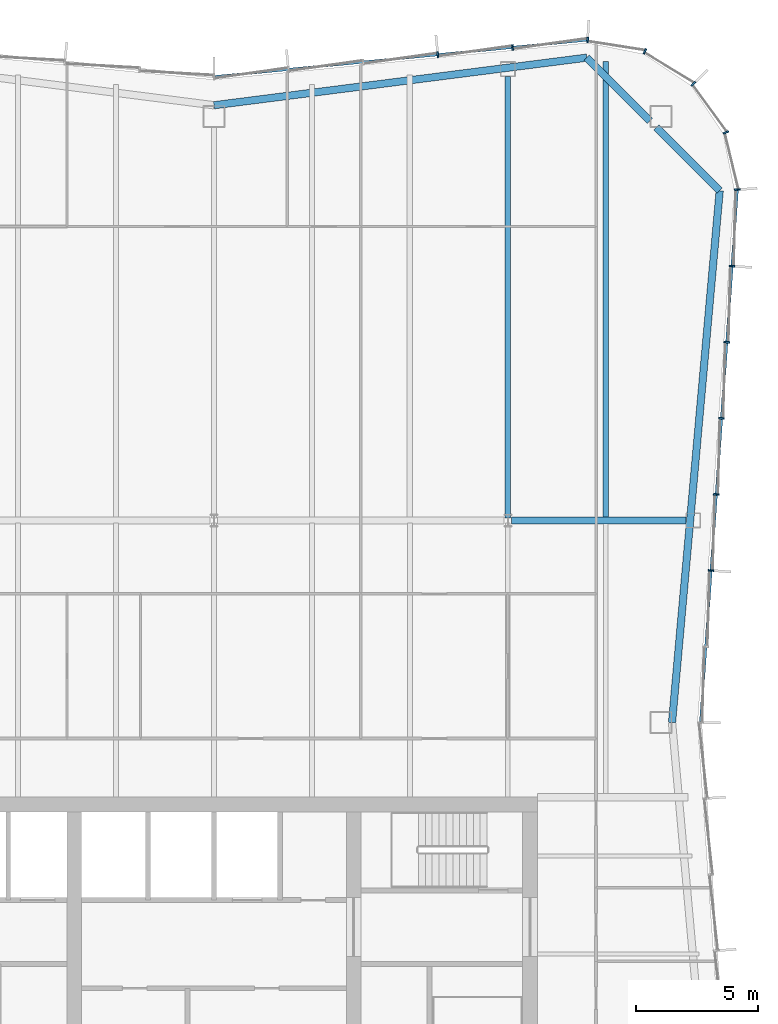
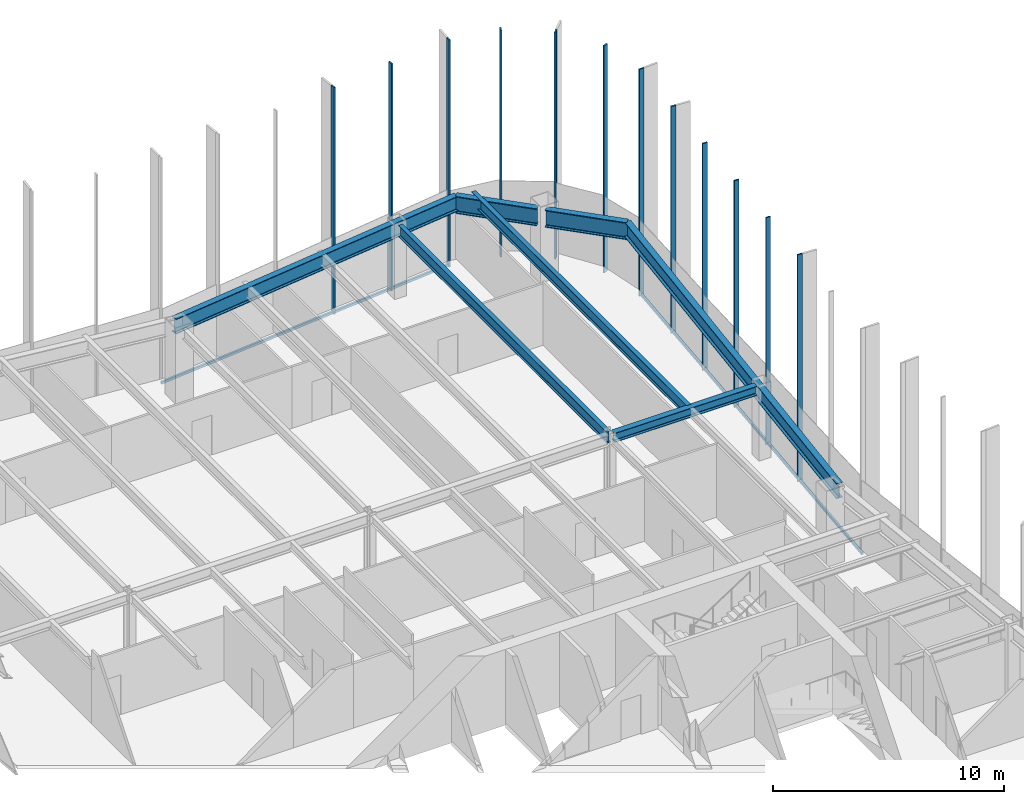
# One storey, part 7 of 13: 14 members, 7 beams, 3 elements without a shape of their own.
"""IFC4 building model written with IfcOpenShell, lengths in metres."""

from ifc_helpers import new_model, si_unit, direction, frame, origin, origin_2d, place, context, subcontext, project, spatial, rectangle, i_section, extrude, material, material_profile, profile_set, type_object, element, aggregate, save


model = new_model("IFC4")

# Units and contexts
model_context = context("Model", 3, precision=1e-05, world=origin(), true_north=direction((0.0, 1.0)))
body_context = subcontext(model_context, "Body", "Model", "MODEL_VIEW")
ifc_project = project(units=[si_unit("LENGTHUNIT", "METRE"), si_unit("AREAUNIT", "SQUARE_METRE"), si_unit("VOLUMEUNIT", "CUBIC_METRE"), si_unit("PLANEANGLEUNIT", "RADIAN"), si_unit("MASSUNIT", "GRAM", prefix="KILO")], contexts=[model_context])

# Site, building, storey
site_placement = place(None, origin())
site = spatial("IfcSite", under=ifc_project, at=site_placement, CompositionType="ELEMENT")
building_placement = place(site_placement, origin())
building = spatial("IfcBuilding", under=site, at=building_placement, Name="Verdant Reach Tower", CompositionType="ELEMENT")
storey_placement = place(building_placement, frame((0.0, 0.0, 306.0)))
storey = spatial("IfcBuildingStorey", under=building, at=storey_placement, Name="L70", CompositionType="ELEMENT", Elevation=306.0)

# Curtain wall, members
ifc_material_1 = material(Name="Anodised aluminium", Category="aluminium")
curtain_wall_type = type_object("IfcCurtainWallType", Name="EN-CW SYSTEM Z5", PredefinedType="NOTDEFINED", material=ifc_material_1)
curtain_wall_1_placement = place(storey_placement, origin())
curtain_wall_1 = element("IfcCurtainWall", 1, at=curtain_wall_1_placement, inside=storey, type_object=curtain_wall_type, Name="Curtain wall east, L70", PredefinedType="NOTDEFINED")
ifc_material_profile_1 = material_profile(ifc_material_1, rectangle(XDim=0.22998046875, YDim=0.070068359375, at=origin_2d()), Name="Mullion 70x230")
ifc_profile_set_1 = profile_set([ifc_material_profile_1], Name="Anodised aluminium")
member_type_1 = type_object("IfcMemberType", Name="EN-MULLION Z5", PredefinedType="MULLION", material=ifc_profile_set_1)
member_1_placement = place(storey_placement, frame((20.293212890625, 47.456298828125, -0.35009765625), z_axis=(0.0, 0.0, 1.0), x_axis=(0.997630328423, -0.068802091615, 0.0)))
member_1 = element("IfcMember", 2, at=member_1_placement, type_object=member_type_1, Name="Mullion east face part 2 3, L70", PredefinedType="MULLION", context=body_context, shape_type="SweptSolid", body=[
    extrude(rectangle(XDim=0.22998046875, YDim=0.070068359375, at=origin_2d()), origin(), (0.0, 0.0, 1.0), 12.0),
])
member_2_placement = place(storey_placement, frame((20.507568359375, 50.5634765625, -0.35009765625), z_axis=(0.0, 0.0, 1.0), x_axis=(0.997630328423, -0.068802091615, 0.0)))
member_2 = element("IfcMember", 3, at=member_2_placement, type_object=member_type_1, Name="Mullion east face part 2 4, L70", PredefinedType="MULLION", context=body_context, shape_type="SweptSolid", body=[
    extrude(rectangle(XDim=0.22998046875, YDim=0.070068359375, at=origin_2d()), origin(), (0.0, 0.0, 1.0), 12.0),
])
member_3_placement = place(storey_placement, frame((20.721923828125, 53.670654296875, -0.35009765625), z_axis=(0.0, 0.0, 1.0), x_axis=(0.997630328423, -0.068802091615, 0.0)))
member_3 = element("IfcMember", 4, at=member_3_placement, type_object=member_type_1, Name="Mullion east face part 2 5, L70", PredefinedType="MULLION", context=body_context, shape_type="SweptSolid", body=[
    extrude(rectangle(XDim=0.22998046875, YDim=0.070068359375, at=origin_2d()), origin(), (0.0, 0.0, 1.0), 12.0),
])
member_4_placement = place(storey_placement, frame((20.93603515625, 56.77783203125, -0.35009765625), z_axis=(0.0, 0.0, 1.0), x_axis=(0.997630328423, -0.068802091615, 0.0)))
member_4 = element("IfcMember", 5, at=member_4_placement, type_object=member_type_1, Name="Mullion east face part 2 6, L70", PredefinedType="MULLION", context=body_context, shape_type="SweptSolid", body=[
    extrude(rectangle(XDim=0.22998046875, YDim=0.070068359375, at=origin_2d()), origin(), (0.0, 0.0, 1.0), 12.0),
])
member_5_placement = place(storey_placement, frame((21.150390625, 59.885009765625, -0.35009765625), z_axis=(0.0, 0.0, 1.0), x_axis=(0.997630328423, -0.068802091615, 0.0)))
member_5 = element("IfcMember", 6, at=member_5_placement, type_object=member_type_1, Name="Mullion east face part 2 7, L70", PredefinedType="MULLION", context=body_context, shape_type="SweptSolid", body=[
    extrude(rectangle(XDim=0.22998046875, YDim=0.070068359375, at=origin_2d()), origin(), (0.0, 0.0, 1.0), 12.0),
])

curtain_wall_2_placement = place(storey_placement, origin())
curtain_wall_2 = element("IfcCurtainWall", 7, at=curtain_wall_2_placement, inside=storey, type_object=curtain_wall_type, Name="Curtain wall north-east corner, L70", PredefinedType="NOTDEFINED")
member_6_placement = place(storey_placement, frame((21.36474609375, 63.00732421875, -0.35009765625), z_axis=(0.0, 0.0, 1.0), x_axis=(0.997969180898, 0.063698618332, 0.0)))
member_6 = element("IfcMember", 8, at=member_6_placement, type_object=member_type_1, Name="Mullion north-east corner 1, L70", PredefinedType="MULLION", context=body_context, shape_type="SweptSolid", body=[
    extrude(rectangle(XDim=0.22998046875, YDim=0.070068359375, at=origin_2d()), origin(), (0.0, 0.0, 1.0), 12.0),
])
member_7_placement = place(storey_placement, frame((20.899658203125, 65.340087890625, -0.35009765625), z_axis=(0.0, 0.0, 1.0), x_axis=(0.923875215753, 0.382693853776, 0.0)))
member_7 = element("IfcMember", 9, at=member_7_placement, type_object=member_type_1, Name="Mullion north-east corner 2, L70", PredefinedType="MULLION", context=body_context, shape_type="SweptSolid", body=[
    extrude(rectangle(XDim=0.22998046875, YDim=0.070068359375, at=origin_2d()), origin(), (0.0, 0.0, 1.0), 12.0),
])
member_8_placement = place(storey_placement, frame((19.573974609375, 67.323974609375, -0.35009765625), z_axis=(0.0, 0.0, 1.0), x_axis=(0.707106781187, 0.707106781187, 0.0)))
member_8 = element("IfcMember", 10, at=member_8_placement, type_object=member_type_1, Name="Mullion north-east corner 3, L70", PredefinedType="MULLION", context=body_context, shape_type="SweptSolid", body=[
    extrude(rectangle(XDim=0.22998046875, YDim=0.070068359375, at=origin_2d()), origin(), (0.0, 0.0, 1.0), 12.0),
])
member_9_placement = place(storey_placement, frame((17.590087890625, 68.649658203125, -0.35009765625), z_axis=(0.0, 0.0, 1.0), x_axis=(0.382693853776, 0.923875215753, 0.0)))
member_9 = element("IfcMember", 11, at=member_9_placement, type_object=member_type_1, Name="Mullion north-east corner 4, L70", PredefinedType="MULLION", context=body_context, shape_type="SweptSolid", body=[
    extrude(rectangle(XDim=0.22998046875, YDim=0.070068359375, at=origin_2d()), origin(), (0.0, 0.0, 1.0), 12.0),
])
aggregate(curtain_wall_2, [member_6, member_7, member_8, member_9])

curtain_wall_3_placement = place(storey_placement, origin())
curtain_wall_3 = element("IfcCurtainWall", 12, at=curtain_wall_3_placement, inside=storey, type_object=curtain_wall_type, Name="Curtain wall north, L70", PredefinedType="NOTDEFINED")
member_10_placement = place(storey_placement, frame((15.255615234375, 69.11474609375, -0.35009765625), z_axis=(0.0, 0.0, 1.0), x_axis=(0.049127596288, 0.998792510626, 0.0)))
member_10 = element("IfcMember", 13, at=member_10_placement, type_object=member_type_1, Name="Mullion north face part 1 1, L70", PredefinedType="MULLION", context=body_context, shape_type="SweptSolid", body=[
    extrude(rectangle(XDim=0.22998046875, YDim=0.070068359375, at=origin_2d()), origin(), (0.0, 0.0, 1.0), 12.0),
])
member_11_placement = place(storey_placement, frame((12.188720703125, 68.814453125, -0.35009765625), z_axis=(0.0, 0.0, 1.0), x_axis=(-0.09788826992, 0.995197410875, 0.0)))
member_11 = element("IfcMember", 14, at=member_11_placement, type_object=member_type_1, Name="Mullion north face part 1 2, L70", PredefinedType="MULLION", context=body_context, shape_type="SweptSolid", body=[
    extrude(rectangle(XDim=0.22998046875, YDim=0.070068359375, at=origin_2d()), origin(), (0.0, 0.0, 1.0), 12.0),
])
member_12_placement = place(storey_placement, frame((9.138671875, 68.514404296875, -0.35009765625), z_axis=(0.0, 0.0, 1.0), x_axis=(-0.09788826992, 0.995197410875, 0.0)))
member_12 = element("IfcMember", 15, at=member_12_placement, type_object=member_type_1, Name="Mullion north face part 1 3, L70", PredefinedType="MULLION", context=body_context, shape_type="SweptSolid", body=[
    extrude(rectangle(XDim=0.22998046875, YDim=0.070068359375, at=origin_2d()), origin(), (0.0, 0.0, 1.0), 12.0),
])

# Member
ifc_material_profile_2 = material_profile(ifc_material_1, rectangle(XDim=0.10009765625, YDim=0.1298828125, at=origin_2d()), Name="Transom 130x100")
ifc_profile_set_2 = profile_set([ifc_material_profile_2], Name="Anodised aluminium")
member_type_2 = type_object("IfcMemberType", Name="EN-TRANSOM Z5", PredefinedType="USERDEFINED", material=ifc_profile_set_2)
member_13_placement = place(storey_placement, frame((19.867431640625, 41.284912109375, -0.284912109375), z_axis=(0.068764705107, 0.997632906099, 0.0), x_axis=(-0.997632906099, 0.068764705107, 0.0)))
member_13 = element("IfcMember", 16, at=member_13_placement, type_object=member_type_2, Name="Transom east face part 2 1.1, L70", ObjectType="TRANSOM", PredefinedType="USERDEFINED", context=body_context, shape_type="SweptSolid", body=[
    extrude(rectangle(XDim=0.10009765625, YDim=0.1298828125, at=origin_2d()), origin(), (0.0, 0.0, 1.0), 21.739013671875),
])

aggregate(curtain_wall_1, [member_1, member_2, member_3, member_4, member_5, member_13])

member_14_placement = place(storey_placement, frame((15.220703125, 69.111328125, -0.284912109375), z_axis=(-0.99520229006, -0.097838652171, 0.0), x_axis=(0.097838652171, -0.99520229006, 0.0)))
member_14 = element("IfcMember", 17, at=member_14_placement, type_object=member_type_2, Name="Transom north face part 1 1.1, L70", ObjectType="TRANSOM", PredefinedType="USERDEFINED", context=body_context, shape_type="SweptSolid", body=[
    extrude(rectangle(XDim=0.10009765625, YDim=0.1298828125, at=origin_2d()), origin(), (0.0, 0.0, 1.0), 15.259033203125),
])

aggregate(curtain_wall_3, [member_10, member_11, member_12, member_14])

# Beams
ifc_material_2 = material(Name="Steel S355", Category="steel")
ifc_material_profile_3 = material_profile(ifc_material_2, i_section(OverallWidth=0.300048828125, OverallDepth=0.489990234375, WebThickness=0.011962890625, FlangeThickness=0.02294921875, FilletRadius=0.027099609375, at=origin_2d()), Name="HEA 500")
ifc_profile_set_3 = profile_set([ifc_material_profile_3], Name="Steel S355")
beam_type_1 = type_object("IfcBeamType", Name="ST-BEAM-HEA500", PredefinedType="BEAM", material=ifc_profile_set_3)
beam_1_placement = place(storey_placement, frame((12.153076171875, 49.5, 3.625), z_axis=(1.0, 0.0, 0.0), x_axis=(0.0, 1.0, 0.0)))
element("IfcBeam", 18, at=beam_1_placement, inside=storey, type_object=beam_type_1, Name="Row girder, L70", PredefinedType="BEAM", context=body_context, shape_type="SweptSolid", body=[
    extrude(i_section(OverallWidth=0.300048828125, OverallDepth=0.489990234375, WebThickness=0.011962890625, FlangeThickness=0.02294921875, FilletRadius=0.027099609375, at=origin_2d()), origin(), (0.0, 0.0, 1.0), 7.115966796875),
])
ifc_material_profile_4 = material_profile(ifc_material_2, i_section(OverallWidth=0.219970703125, OverallDepth=0.60009765625, WebThickness=0.011962890625, FlangeThickness=0.01904296875, FilletRadius=0.02392578125, at=origin_2d()), Name="IPE 600")
ifc_profile_set_4 = profile_set([ifc_material_profile_4], Name="Steel S355")
beam_type_2 = type_object("IfcBeamType", Name="ST-JOIST-IPE600", PredefinedType="JOIST", material=ifc_profile_set_4)
beam_2_placement = place(storey_placement, frame((12.0, 49.60009765625, 3.570068359375), z_axis=(0.0, 1.0, 0.0), x_axis=(-1.0, 0.0, 0.0)))
element("IfcBeam", 19, at=beam_2_placement, inside=storey, type_object=beam_type_2, Name="Floor joist, L70", PredefinedType="JOIST", context=body_context, shape_type="SweptSolid", body=[
    extrude(i_section(OverallWidth=0.219970703125, OverallDepth=0.60009765625, WebThickness=0.011962890625, FlangeThickness=0.01904296875, FilletRadius=0.02392578125, at=origin_2d()), origin(), (0.0, 0.0, 1.0), 18.0302734375),
])
beam_3_placement = place(storey_placement, frame((16.0, 49.60009765625, 3.570068359375), z_axis=(0.0, 1.0, 0.0), x_axis=(-1.0, 0.0, 0.0)))
element("IfcBeam", 20, at=beam_3_placement, inside=storey, type_object=beam_type_2, Name="Floor joist, L70", PredefinedType="JOIST", context=body_context, shape_type="SweptSolid", body=[
    extrude(i_section(OverallWidth=0.219970703125, OverallDepth=0.60009765625, WebThickness=0.011962890625, FlangeThickness=0.01904296875, FilletRadius=0.02392578125, at=origin_2d()), origin(), (0.0, 0.0, 1.0), 18.638916015625),
])
ifc_material_profile_5 = material_profile(ifc_material_2, i_section(OverallWidth=0.300048828125, OverallDepth=0.800048828125, WebThickness=0.017578125, FlangeThickness=0.032958984375, FilletRadius=0.030029296875, at=origin_2d()), Name="HEB 800")
ifc_profile_set_5 = profile_set([ifc_material_profile_5], Name="Steel S355")
beam_type_3 = type_object("IfcBeamType", Name="ST-SPANDREL-HEB800", PredefinedType="SPANDREL", material=ifc_profile_set_5)
beam_4_placement = place(storey_placement, frame((0.0, 66.449951171875, 3.469970703125), z_axis=(0.991938889669, 0.126717162063, 0.0), x_axis=(-0.126717162063, 0.991938889669, 0.0)))
element("IfcBeam", 21, at=beam_4_placement, inside=storey, type_object=beam_type_3, Name="Edge beam, L70", PredefinedType="SPANDREL", context=body_context, shape_type="SweptSolid", body=[
    extrude(i_section(OverallWidth=0.300048828125, OverallDepth=0.800048828125, WebThickness=0.017578125, FlangeThickness=0.032958984375, FilletRadius=0.030029296875, at=origin_2d()), origin(), (0.0, 0.0, 1.0), 15.343994140625),
])
beam_5_placement = place(storey_placement, frame((20.64599609375, 62.96142578125, 3.469970703125), z_axis=(-0.089274399498, -0.996007069048, 0.0), x_axis=(0.996007069048, -0.089274399498, 0.0)))
element("IfcBeam", 22, at=beam_5_placement, inside=storey, type_object=beam_type_3, Name="Edge beam, L70", PredefinedType="SPANDREL", context=body_context, shape_type="SweptSolid", body=[
    extrude(i_section(OverallWidth=0.300048828125, OverallDepth=0.800048828125, WebThickness=0.017578125, FlangeThickness=0.032958984375, FilletRadius=0.030029296875, at=origin_2d()), origin(), (0.0, 0.0, 1.0), 21.798583984375),
])
ifc_material_profile_6 = material_profile(ifc_material_2, i_section(OverallWidth=0.302001953125, OverallDepth=0.909912109375, WebThickness=0.02099609375, FlangeThickness=0.0400390625, FilletRadius=0.030029296875, at=origin_2d()), Name="HEM 900")
ifc_profile_set_6 = profile_set([ifc_material_profile_6], Name="Steel S355")
beam_type_4 = type_object("IfcBeamType", Name="ST-SPANDREL-HEM900", PredefinedType="SPANDREL", material=ifc_profile_set_6)
beam_6_placement = place(storey_placement, frame((15.22021484375, 68.394287109375, 3.4150390625), z_axis=(0.706638520854, -0.707574731632, 0.0), x_axis=(0.707574731632, 0.706638520854, 0.0)))
element("IfcBeam", 23, at=beam_6_placement, inside=storey, type_object=beam_type_4, Name="Edge beam, L70", PredefinedType="SPANDREL", context=body_context, shape_type="SweptSolid", body=[
    extrude(i_section(OverallWidth=0.302001953125, OverallDepth=0.909912109375, WebThickness=0.02099609375, FlangeThickness=0.0400390625, FilletRadius=0.030029296875, at=origin_2d()), origin(), (0.0, 0.0, 1.0), 3.65087890625),
])
beam_7_placement = place(storey_placement, frame((18.060791015625, 65.550048828125, 3.4150390625), z_axis=(0.706639493403, -0.707573760369, 0.0), x_axis=(0.707573760369, 0.706639493403, 0.0)))
element("IfcBeam", 24, at=beam_7_placement, inside=storey, type_object=beam_type_4, Name="Edge beam, L70", PredefinedType="SPANDREL", context=body_context, shape_type="SweptSolid", body=[
    extrude(i_section(OverallWidth=0.302001953125, OverallDepth=0.909912109375, WebThickness=0.02099609375, FlangeThickness=0.0400390625, FilletRadius=0.030029296875, at=origin_2d()), origin(), (0.0, 0.0, 1.0), 3.658447265625),
])

save(model, "model.ifc")
